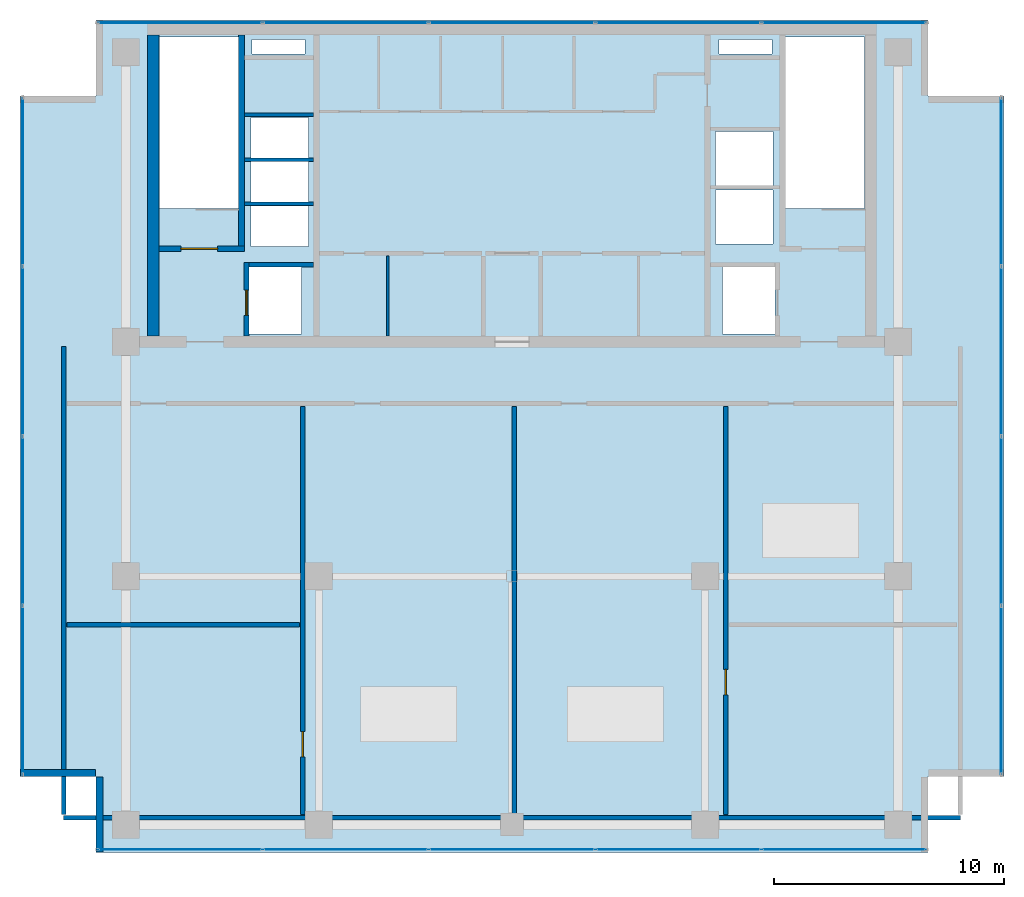
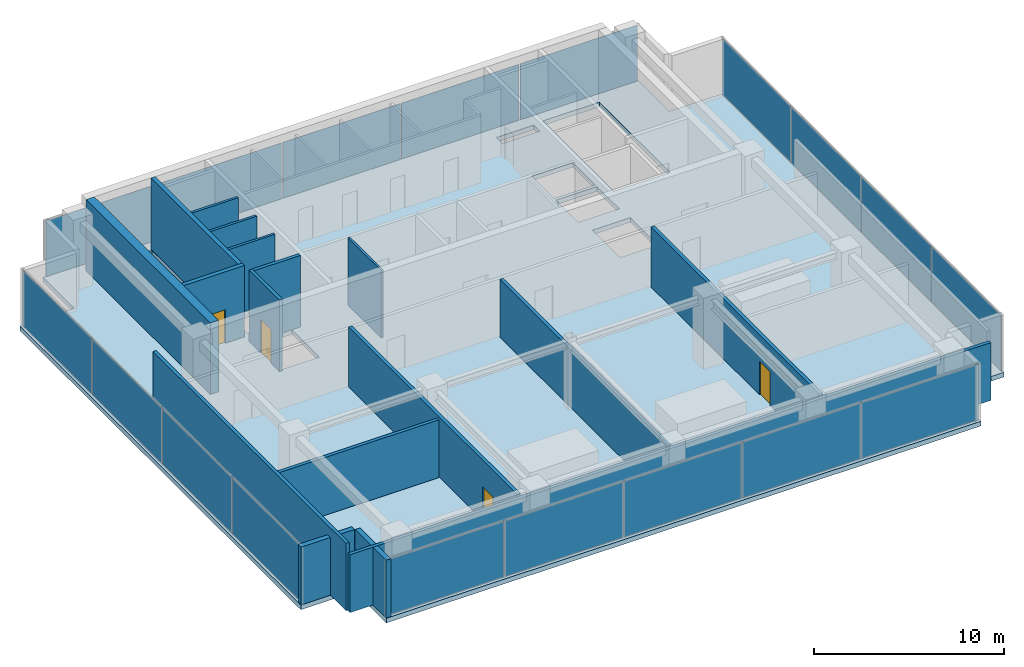
# One storey, part 15 of 19: 18 plates, 17 walls, 4 doors, 1 slab, 4 openings, 4 elements without a shape of their own.
"""IFC4 building model written with IfcOpenShell, lengths in metres."""

from ifc_helpers import new_model, si_unit, direction, frame, frame_2d, origin, origin_2d, place, context, subcontext, project, spatial, polyline, rectangle, outline, extrude, source, transform, mapped, material, layer, layer_set, type_object, element, fill, aggregate, save


model = new_model("IFC4")

# Units and contexts
model_context = context("Model", 3, precision=1e-05, world=origin(), true_north=direction((0.0, 1.0)))
body_context = subcontext(model_context, "Body", "Model", "MODEL_VIEW")
ifc_project = project(units=[si_unit("LENGTHUNIT", "METRE"), si_unit("AREAUNIT", "SQUARE_METRE"), si_unit("VOLUMEUNIT", "CUBIC_METRE"), si_unit("PLANEANGLEUNIT", "RADIAN"), si_unit("MASSUNIT", "GRAM", prefix="KILO")], contexts=[model_context])

# Site, building, storey
site_placement = place(None, origin())
site = spatial("IfcSite", under=ifc_project, at=site_placement, CompositionType="ELEMENT")
building_placement = place(site_placement, origin())
building = spatial("IfcBuilding", under=site, at=building_placement, Name="Sumidabori Civic Tower", CompositionType="ELEMENT")
storey_placement = place(building_placement, frame((0.0, 0.0, 293.60009765625)))
storey = spatial("IfcBuildingStorey", under=building, at=storey_placement, Name="L77", CompositionType="ELEMENT", Elevation=293.60009765625)

# Slab
ifc_material_1 = material(Name="Concrete C40/50", Category="concrete")
ifc_layer_1 = layer(ifc_material_1, 0.300048828125, Name="Concrete C40/50")
ifc_layer_set_1 = layer_set([ifc_layer_1], Name="Concrete C40/50")
slab_type = type_object("IfcSlabType", Name="SL-CRN-300", PredefinedType="FLOOR", material=ifc_layer_set_1)
slab_placement = place(storey_placement, frame((0.0, 0.0, -0.300048828125)))
element("IfcSlab", 1, at=slab_placement, inside=storey, type_object=slab_type, Name="Structural Slab L77", PredefinedType="FLOOR", context=body_context, shape_type="SweptSolid", body=[
    extrude(outline(polyline([(-18.10009765625, -12.0), (18.10009765625, -12.0), (18.10009765625, -8.699951171875), (21.39990234375, -8.699951171875), (21.39990234375, 20.89990234375), (18.10009765625, 20.89990234375), (18.10009765625, 24.199951171875), (-18.10009765625, 24.199951171875), (-18.10009765625, 20.89990234375), (-21.39990234375, 20.89990234375), (-21.39990234375, -8.699951171875), (-18.10009765625, -8.699951171875), (-18.10009765625, -12.0)]), holes=[polyline([(-11.89990234375, 16.0), (-11.89990234375, 23.449951171875), (-15.340087890625, 23.449951171875), (-15.340087890625, 16.0), (-11.89990234375, 16.0)]), polyline([(15.340087890625, 16.0), (15.340087890625, 23.449951171875), (11.89990234375, 23.449951171875), (11.89990234375, 16.0), (15.340087890625, 16.0)]), polyline([(-11.449951171875, 10.550048828125), (-9.14990234375, 10.550048828125), (-9.14990234375, 13.449951171875), (-11.449951171875, 13.449951171875), (-11.449951171875, 10.550048828125)]), polyline([(9.14990234375, 10.550048828125), (11.449951171875, 10.550048828125), (11.449951171875, 13.449951171875), (9.14990234375, 13.449951171875), (9.14990234375, 10.550048828125)]), polyline([(-11.35009765625, 14.35009765625), (-8.85009765625, 14.35009765625), (-8.85009765625, 16.1201171875), (-11.35009765625, 16.1201171875), (-11.35009765625, 14.35009765625)]), polyline([(-11.35009765625, 16.27001953125), (-8.85009765625, 16.27001953125), (-8.85009765625, 18.0400390625), (-11.35009765625, 18.0400390625), (-11.35009765625, 16.27001953125)]), polyline([(-11.35009765625, 18.18994140625), (-8.85009765625, 18.18994140625), (-8.85009765625, 19.9599609375), (-11.35009765625, 19.9599609375), (-11.35009765625, 18.18994140625)]), polyline([(8.85009765625, 14.449951171875), (11.35009765625, 14.449951171875), (11.35009765625, 16.800048828125), (8.85009765625, 16.800048828125), (8.85009765625, 14.449951171875)]), polyline([(8.85009765625, 17.0), (11.35009765625, 17.0), (11.35009765625, 19.35009765625), (8.85009765625, 19.35009765625), (8.85009765625, 17.0)]), polyline([(-11.300048828125, 22.719970703125), (-9.0, 22.719970703125), (-9.0, 23.35009765625), (-11.300048828125, 23.35009765625), (-11.300048828125, 22.719970703125)]), polyline([(9.0, 22.719970703125), (11.300048828125, 22.719970703125), (11.300048828125, 23.35009765625), (9.0, 23.35009765625), (9.0, 22.719970703125)])]), origin(), (0.0, 0.0, 1.0), 0.300048828125),
])

# Curtain wall, plates
ifc_material_2 = material(Name="Anodised Bronze Aluminium AW-6063-T6", Category="aluminium")
ifc_layer_2 = layer(ifc_material_2, 0.179931640625, Name="Anodised Bronze Aluminium AW-6063-T6")
ifc_layer_set_2 = layer_set([ifc_layer_2], Name="Anodised Bronze Aluminium AW-6063-T6")
curtain_wall_type = type_object("IfcCurtainWallType", Name="CW-SYS-6", PredefinedType="NOTDEFINED", material=ifc_layer_set_2)
curtain_wall_1_placement = place(storey_placement, origin())
curtain_wall_1 = element("IfcCurtainWall", 2, at=curtain_wall_1_placement, inside=storey, type_object=curtain_wall_type, Name="Curtain Wall CW:L77:R01", PredefinedType="NOTDEFINED")
ifc_material_3 = material(Name="Bronze-Tinted Laminated Crown Glazing", Category="glass")
ifc_layer_3 = layer(ifc_material_3, 0.033935546875, Name="Bronze-Tinted Laminated Crown Glazing")
ifc_layer_set_3 = layer_set([ifc_layer_3], Name="Bronze-Tinted Laminated Crown Glazing")
plate_type = type_object("IfcPlateType", Name="CW-PNL-CRN", PredefinedType="CURTAIN_PANEL", material=ifc_layer_set_3)
shared_shape_1 = source(origin(), body_context, "Body", "SweptSolid", [
    extrude(rectangle(XDim=7.123046875, YDim=0.033935546875, at=origin_2d()), origin(), (0.0, 0.0, 1.0), 3.590087890625),
])
plate_1_placement = place(storey_placement, frame((-14.4384765625, -11.8798828125, 0.06494140625), z_axis=(0.0, 0.0, 1.0), x_axis=(1.0, 0.0, 0.0)))
plate_1 = element("IfcPlate", 3, at=plate_1_placement, type_object=plate_type, Name="CW-6 panel 1.1", PredefinedType="CURTAIN_PANEL", context=body_context, shape_type="MappedRepresentation", body=[
    mapped(shared_shape_1, transform((0.0, 0.0, 0.0), x_axis=(1.0, 0.0, 0.0), y_axis=(0.0, 1.0, 0.0), z_axis=(0.0, 0.0, 1.0), scale=1.0)),
])
plate_2_placement = place(storey_placement, frame((14.4384765625, -11.8798828125, 0.06494140625), z_axis=(0.0, 0.0, 1.0), x_axis=(1.0, 0.0, 0.0)))
plate_2 = element("IfcPlate", 4, at=plate_2_placement, type_object=plate_type, Name="CW-6 panel 5.1", PredefinedType="CURTAIN_PANEL", context=body_context, shape_type="MappedRepresentation", body=[
    mapped(shared_shape_1, transform((0.0, 0.0, 0.0), x_axis=(1.0, 0.0, 0.0), y_axis=(0.0, 1.0, 0.0), z_axis=(0.0, 0.0, 1.0), scale=1.0)),
])

curtain_wall_2_placement = place(storey_placement, origin())
curtain_wall_2 = element("IfcCurtainWall", 5, at=curtain_wall_2_placement, inside=storey, type_object=curtain_wall_type, Name="Curtain Wall CW:L77:R07", PredefinedType="NOTDEFINED")
plate_3_placement = place(storey_placement, frame((14.4384765625, 24.080078125, 0.06494140625), z_axis=(0.0, 0.0, 1.0), x_axis=(-1.0, 0.0, 0.0)))
plate_3 = element("IfcPlate", 6, at=plate_3_placement, type_object=plate_type, Name="CW-6 panel 1.1", PredefinedType="CURTAIN_PANEL", context=body_context, shape_type="MappedRepresentation", body=[
    mapped(shared_shape_1, transform((0.0, 0.0, 0.0), x_axis=(1.0, 0.0, 0.0), y_axis=(0.0, 1.0, 0.0), z_axis=(0.0, 0.0, 1.0), scale=1.0)),
])
plate_4_placement = place(storey_placement, frame((-14.4384765625, 24.080078125, 0.06494140625), z_axis=(0.0, 0.0, 1.0), x_axis=(-1.0, 0.0, 0.0)))
plate_4 = element("IfcPlate", 7, at=plate_4_placement, type_object=plate_type, Name="CW-6 panel 5.1", PredefinedType="CURTAIN_PANEL", context=body_context, shape_type="MappedRepresentation", body=[
    mapped(shared_shape_1, transform((0.0, 0.0, 0.0), x_axis=(1.0, 0.0, 0.0), y_axis=(0.0, 1.0, 0.0), z_axis=(0.0, 0.0, 1.0), scale=1.0)),
])

# Plate
shared_shape_2 = source(origin(), body_context, "Body", "SweptSolid", [
    extrude(rectangle(XDim=7.157958984375, YDim=0.033935546875, at=origin_2d()), origin(), (0.0, 0.0, 1.0), 3.590087890625),
])
plate_5_placement = place(storey_placement, frame((-7.22802734375, -11.8798828125, 0.06494140625), z_axis=(0.0, 0.0, 1.0), x_axis=(1.0, 0.0, 0.0)))
plate_5 = element("IfcPlate", 8, at=plate_5_placement, type_object=plate_type, Name="CW-6 panel 2.1", PredefinedType="CURTAIN_PANEL", context=body_context, shape_type="MappedRepresentation", body=[
    mapped(shared_shape_2, transform((0.0, 0.0, 0.0), x_axis=(1.0, 0.0, 0.0), y_axis=(0.0, 1.0, 0.0), z_axis=(0.0, 0.0, 1.0), scale=1.0)),
])

plate_6_placement = place(storey_placement, frame((0.0, -11.8798828125, 0.06494140625), z_axis=(0.0, 0.0, 1.0), x_axis=(1.0, 0.0, 0.0)))
plate_6 = element("IfcPlate", 9, at=plate_6_placement, type_object=plate_type, Name="CW-6 panel 3.1", PredefinedType="CURTAIN_PANEL", context=body_context, shape_type="MappedRepresentation", body=[
    mapped(shared_shape_2, transform((0.0, 0.0, 0.0), x_axis=(1.0, 0.0, 0.0), y_axis=(0.0, 1.0, 0.0), z_axis=(0.0, 0.0, 1.0), scale=1.0)),
])

plate_7_placement = place(storey_placement, frame((7.22802734375, -11.8798828125, 0.06494140625), z_axis=(0.0, 0.0, 1.0), x_axis=(1.0, 0.0, 0.0)))
plate_7 = element("IfcPlate", 10, at=plate_7_placement, type_object=plate_type, Name="CW-6 panel 4.1", PredefinedType="CURTAIN_PANEL", context=body_context, shape_type="MappedRepresentation", body=[
    mapped(shared_shape_2, transform((0.0, 0.0, 0.0), x_axis=(1.0, 0.0, 0.0), y_axis=(0.0, 1.0, 0.0), z_axis=(0.0, 0.0, 1.0), scale=1.0)),
])

aggregate(curtain_wall_1, [plate_1, plate_5, plate_6, plate_7, plate_2])

plate_8_placement = place(storey_placement, frame((7.22802734375, 24.080078125, 0.06494140625), z_axis=(0.0, 0.0, 1.0), x_axis=(-1.0, 0.0, 0.0)))
plate_8 = element("IfcPlate", 11, at=plate_8_placement, type_object=plate_type, Name="CW-6 panel 2.1", PredefinedType="CURTAIN_PANEL", context=body_context, shape_type="MappedRepresentation", body=[
    mapped(shared_shape_2, transform((0.0, 0.0, 0.0), x_axis=(1.0, 0.0, 0.0), y_axis=(0.0, 1.0, 0.0), z_axis=(0.0, 0.0, 1.0), scale=1.0)),
])

plate_9_placement = place(storey_placement, frame((0.0, 24.080078125, 0.06494140625), z_axis=(0.0, 0.0, 1.0), x_axis=(-1.0, 0.0, 0.0)))
plate_9 = element("IfcPlate", 12, at=plate_9_placement, type_object=plate_type, Name="CW-6 panel 3.1", PredefinedType="CURTAIN_PANEL", context=body_context, shape_type="MappedRepresentation", body=[
    mapped(shared_shape_2, transform((0.0, 0.0, 0.0), x_axis=(1.0, 0.0, 0.0), y_axis=(0.0, 1.0, 0.0), z_axis=(0.0, 0.0, 1.0), scale=1.0)),
])

plate_10_placement = place(storey_placement, frame((-7.22802734375, 24.080078125, 0.06494140625), z_axis=(0.0, 0.0, 1.0), x_axis=(-1.0, 0.0, 0.0)))
plate_10 = element("IfcPlate", 13, at=plate_10_placement, type_object=plate_type, Name="CW-6 panel 4.1", PredefinedType="CURTAIN_PANEL", context=body_context, shape_type="MappedRepresentation", body=[
    mapped(shared_shape_2, transform((0.0, 0.0, 0.0), x_axis=(1.0, 0.0, 0.0), y_axis=(0.0, 1.0, 0.0), z_axis=(0.0, 0.0, 1.0), scale=1.0)),
])

aggregate(curtain_wall_2, [plate_3, plate_8, plate_9, plate_10, plate_4])

# Curtain wall, plates
curtain_wall_3_placement = place(storey_placement, origin())
curtain_wall_3 = element("IfcCurtainWall", 14, at=curtain_wall_3_placement, inside=storey, type_object=curtain_wall_type, Name="Curtain Wall CW:L77:R04", PredefinedType="NOTDEFINED")
shared_shape_3 = source(origin(), body_context, "Body", "SweptSolid", [
    extrude(rectangle(XDim=7.280029296875, YDim=0.033935546875, at=origin_2d()), origin(), (0.0, 0.0, 1.0), 3.590087890625),
])
plate_11_placement = place(storey_placement, frame((21.280029296875, -4.9599609375, 0.06494140625), z_axis=(0.0, 0.0, 1.0), x_axis=(0.0, 1.0, 0.0)))
plate_11 = element("IfcPlate", 15, at=plate_11_placement, type_object=plate_type, Name="CW-6 panel 1.1", PredefinedType="CURTAIN_PANEL", context=body_context, shape_type="MappedRepresentation", body=[
    mapped(shared_shape_3, transform((0.0, 0.0, 0.0), x_axis=(1.0, 0.0, 0.0), y_axis=(0.0, 1.0, 0.0), z_axis=(0.0, 0.0, 1.0), scale=1.0)),
])
plate_12_placement = place(storey_placement, frame((21.280029296875, 17.159912109375, 0.06494140625), z_axis=(0.0, 0.0, 1.0), x_axis=(0.0, 1.0, 0.0)))
plate_12 = element("IfcPlate", 16, at=plate_12_placement, type_object=plate_type, Name="CW-6 panel 4.1", PredefinedType="CURTAIN_PANEL", context=body_context, shape_type="MappedRepresentation", body=[
    mapped(shared_shape_3, transform((0.0, 0.0, 0.0), x_axis=(1.0, 0.0, 0.0), y_axis=(0.0, 1.0, 0.0), z_axis=(0.0, 0.0, 1.0), scale=1.0)),
])

curtain_wall_4_placement = place(storey_placement, origin())
curtain_wall_4 = element("IfcCurtainWall", 17, at=curtain_wall_4_placement, inside=storey, type_object=curtain_wall_type, Name="Curtain Wall CW:L77:R10", PredefinedType="NOTDEFINED")
plate_13_placement = place(storey_placement, frame((-21.280029296875, 17.159912109375, 0.06494140625), z_axis=(0.0, 0.0, 1.0), x_axis=(0.0, -1.0, 0.0)))
plate_13 = element("IfcPlate", 18, at=plate_13_placement, type_object=plate_type, Name="CW-6 panel 1.1", PredefinedType="CURTAIN_PANEL", context=body_context, shape_type="MappedRepresentation", body=[
    mapped(shared_shape_3, transform((0.0, 0.0, 0.0), x_axis=(1.0, 0.0, 0.0), y_axis=(0.0, 1.0, 0.0), z_axis=(0.0, 0.0, 1.0), scale=1.0)),
])
plate_14_placement = place(storey_placement, frame((-21.280029296875, -4.9599609375, 0.06494140625), z_axis=(0.0, 0.0, 1.0), x_axis=(0.0, -1.0, 0.0)))
plate_14 = element("IfcPlate", 19, at=plate_14_placement, type_object=plate_type, Name="CW-6 panel 4.1", PredefinedType="CURTAIN_PANEL", context=body_context, shape_type="MappedRepresentation", body=[
    mapped(shared_shape_3, transform((0.0, 0.0, 0.0), x_axis=(1.0, 0.0, 0.0), y_axis=(0.0, 1.0, 0.0), z_axis=(0.0, 0.0, 1.0), scale=1.0)),
])

# Plate
shared_shape_4 = source(origin(), body_context, "Body", "SweptSolid", [
    extrude(rectangle(XDim=7.31494140625, YDim=0.033935546875, at=origin_2d()), origin(), (0.0, 0.0, 1.0), 3.590087890625),
])
plate_15_placement = place(storey_placement, frame((21.280029296875, 2.407470703125, 0.06494140625), z_axis=(0.0, 0.0, 1.0), x_axis=(0.0, 1.0, 0.0)))
plate_15 = element("IfcPlate", 20, at=plate_15_placement, type_object=plate_type, Name="CW-6 panel 2.1", PredefinedType="CURTAIN_PANEL", context=body_context, shape_type="MappedRepresentation", body=[
    mapped(shared_shape_4, transform((0.0, 0.0, 0.0), x_axis=(1.0, 0.0, 0.0), y_axis=(0.0, 1.0, 0.0), z_axis=(0.0, 0.0, 1.0), scale=1.0)),
])

plate_16_placement = place(storey_placement, frame((21.280029296875, 9.79248046875, 0.06494140625), z_axis=(0.0, 0.0, 1.0), x_axis=(0.0, 1.0, 0.0)))
plate_16 = element("IfcPlate", 21, at=plate_16_placement, type_object=plate_type, Name="CW-6 panel 3.1", PredefinedType="CURTAIN_PANEL", context=body_context, shape_type="MappedRepresentation", body=[
    mapped(shared_shape_4, transform((0.0, 0.0, 0.0), x_axis=(1.0, 0.0, 0.0), y_axis=(0.0, 1.0, 0.0), z_axis=(0.0, 0.0, 1.0), scale=1.0)),
])

aggregate(curtain_wall_3, [plate_11, plate_15, plate_16, plate_12])

plate_17_placement = place(storey_placement, frame((-21.280029296875, 9.79248046875, 0.06494140625), z_axis=(0.0, 0.0, 1.0), x_axis=(0.0, -1.0, 0.0)))
plate_17 = element("IfcPlate", 22, at=plate_17_placement, type_object=plate_type, Name="CW-6 panel 2.1", PredefinedType="CURTAIN_PANEL", context=body_context, shape_type="MappedRepresentation", body=[
    mapped(shared_shape_4, transform((0.0, 0.0, 0.0), x_axis=(1.0, 0.0, 0.0), y_axis=(0.0, 1.0, 0.0), z_axis=(0.0, 0.0, 1.0), scale=1.0)),
])

plate_18_placement = place(storey_placement, frame((-21.280029296875, 2.407470703125, 0.06494140625), z_axis=(0.0, 0.0, 1.0), x_axis=(0.0, -1.0, 0.0)))
plate_18 = element("IfcPlate", 23, at=plate_18_placement, type_object=plate_type, Name="CW-6 panel 3.1", PredefinedType="CURTAIN_PANEL", context=body_context, shape_type="MappedRepresentation", body=[
    mapped(shared_shape_4, transform((0.0, 0.0, 0.0), x_axis=(1.0, 0.0, 0.0), y_axis=(0.0, 1.0, 0.0), z_axis=(0.0, 0.0, 1.0), scale=1.0)),
])

aggregate(curtain_wall_4, [plate_13, plate_17, plate_18, plate_14])

# Wall
ifc_material_4 = material(Name="Concrete C50/60", Category="concrete")
ifc_layer_4 = layer(ifc_material_4, 0.5, Name="Concrete C50/60")
ifc_layer_set_4 = layer_set([ifc_layer_4], Name="Concrete C50/60")
wall_type_1 = type_object("IfcWallType", Name="WL-CORE-500", PredefinedType="SHEAR", material=ifc_layer_set_4)
shared_shape_5 = source(origin(), body_context, "Body", "SweptSolid", [
    extrude(rectangle(XDim=13.10009765625, YDim=0.5, at=frame_2d((6.550048828125, 0.0))), origin(), (0.0, 0.0, 1.0), 4.599853515625),
])
wall_1_placement = place(storey_placement, frame((-15.60009765625, 10.449951171875, 0.0), z_axis=(0.0, 0.0, 1.0), x_axis=(0.0, 1.0, 0.0)))
element("IfcWall", 24, at=wall_1_placement, inside=storey, type_object=wall_type_1, Name="Core Shear Wall L77 W", PredefinedType="SHEAR", context=body_context, shape_type="MappedRepresentation", body=[
    mapped(shared_shape_5, transform((0.0, 0.0, 0.0), x_axis=(1.0, 0.0, 0.0), y_axis=(0.0, 1.0, 0.0), z_axis=(0.0, 0.0, 1.0), scale=1.0)),
])

# Wall, opening, door
ifc_layer_5 = layer(ifc_material_4, 0.25, Name="Concrete C50/60")
ifc_layer_set_5 = layer_set([ifc_layer_5], Name="Concrete C50/60")
wall_type_2 = type_object("IfcWallType", Name="WL-SHAFT-250", PredefinedType="SHEAR", material=ifc_layer_set_5)
shared_shape_6 = source(origin(), body_context, "Body", "SweptSolid", [
    extrude(rectangle(XDim=3.705078125, YDim=0.25, at=frame_2d((1.8525390625, 0.0))), origin(), (0.0, 0.0, 1.0), 4.599853515625),
])
wall_2_placement = place(storey_placement, frame((-15.35009765625, 14.25, 0.0), z_axis=(0.0, 0.0, 1.0), x_axis=(1.0, 0.0, 0.0)))
wall_2 = element("IfcWall", 25, at=wall_2_placement, inside=storey, type_object=wall_type_2, Name="Core Shear Wall L77 ST1-S", PredefinedType="SHEAR", context=body_context, shape_type="MappedRepresentation", body=[
    mapped(shared_shape_6, transform((0.0, 0.0, 0.0), x_axis=(1.0, 0.0, 0.0), y_axis=(0.0, 1.0, 0.0), z_axis=(0.0, 0.0, 1.0), scale=1.0)),
])
opening_1_placement = place(wall_2_placement, frame((0.949951171875, 0.0, 0.0)))
opening_1 = element("IfcOpeningElement", 26, at=opening_1_placement, cuts=wall_2, Name="Opening DR-FD4", PredefinedType="OPENING", context=body_context, shape_type="SweptSolid", body=[
    extrude(rectangle(XDim=1.60009765625, YDim=2.14990234375, at=frame_2d((0.800048828125, 1.074951171875))), frame((0.0, 0.136962890625, 0.0), z_axis=(0.0, -1.0, 0.0), x_axis=(1.0, 0.0, 0.0)), (0.0, 0.0, 1.0), 0.27392578125),
])
ifc_material_5 = material(Name="Steel SN490", Category="steel")
door_type_1 = type_object("IfcDoorType", Name="DR-FD4", OperationType="DOUBLE_DOOR_SINGLE_SWING", PredefinedType="DOOR", material=ifc_material_5)
shared_shape_7 = source(origin(), body_context, "Body", "SweptSolid", [
    extrude(rectangle(XDim=1.60009765625, YDim=2.14990234375, at=frame_2d((0.800048828125, 1.074951171875))), frame((0.0, 0.02490234375, 0.0), z_axis=(0.0, -1.0, 0.0), x_axis=(1.0, 0.0, 0.0)), (0.0, 0.0, 1.0), 0.050048828125),
])
door_1_placement = place(opening_1_placement, origin())
door_1 = element("IfcDoor", 27, at=door_1_placement, inside=storey, type_object=door_type_1, Name="Door DR:L77:ST1", OperationType="DOUBLE_DOOR_SINGLE_SWING", OverallHeight=2.14990234375, OverallWidth=1.60009765625, PredefinedType="DOOR", context=body_context, shape_type="MappedRepresentation", body=[
    mapped(shared_shape_7, transform((0.0, 0.0, 0.0), x_axis=(1.0, 0.0, 0.0), y_axis=(0.0, 1.0, 0.0), z_axis=(0.0, 0.0, 1.0), scale=1.0)),
])
fill(opening_1, door_1)

# Wall
shared_shape_8 = source(origin(), body_context, "Body", "SweptSolid", [
    extrude(rectangle(XDim=9.175048828125, YDim=0.25, at=frame_2d((4.58740234375, 0.0))), origin(), (0.0, 0.0, 1.0), 4.599853515625),
])
wall_3_placement = place(storey_placement, frame((-11.77001953125, 14.375, 0.0), z_axis=(0.0, 0.0, 1.0), x_axis=(0.0, 1.0, 0.0)))
element("IfcWall", 28, at=wall_3_placement, inside=storey, type_object=wall_type_2, Name="Core Shear Wall L77 ST1-E", PredefinedType="SHEAR", context=body_context, shape_type="MappedRepresentation", body=[
    mapped(shared_shape_8, transform((0.0, 0.0, 0.0), x_axis=(1.0, 0.0, 0.0), y_axis=(0.0, 1.0, 0.0), z_axis=(0.0, 0.0, 1.0), scale=1.0)),
])

# Wall, opening, door
ifc_layer_6 = layer(ifc_material_4, 0.199951171875, Name="Concrete C50/60")
ifc_layer_set_6 = layer_set([ifc_layer_6], Name="Concrete C50/60")
wall_type_3 = type_object("IfcWallType", Name="WL-SHAFT-200", PredefinedType="SHEAR", material=ifc_layer_set_6)
shared_shape_9 = source(origin(), body_context, "Body", "SweptSolid", [
    extrude(rectangle(XDim=3.199951171875, YDim=0.199951171875, at=frame_2d((1.60009765625, 0.0))), origin(), (0.0, 0.0, 1.0), 4.599853515625),
])
wall_4_placement = place(storey_placement, frame((-11.550048828125, 10.449951171875, 0.0), z_axis=(0.0, 0.0, 1.0), x_axis=(0.0, 1.0, 0.0)))
wall_4 = element("IfcWall", 29, at=wall_4_placement, inside=storey, type_object=wall_type_3, Name="Core Shear Wall L77 EL1-W", PredefinedType="SHEAR", context=body_context, shape_type="MappedRepresentation", body=[
    mapped(shared_shape_9, transform((0.0, 0.0, 0.0), x_axis=(1.0, 0.0, 0.0), y_axis=(0.0, 1.0, 0.0), z_axis=(0.0, 0.0, 1.0), scale=1.0)),
])
opening_2_placement = place(wall_4_placement, frame((0.89990234375, 0.0, 0.0)))
opening_2 = element("IfcOpeningElement", 30, at=opening_2_placement, cuts=wall_4, Name="Opening LD-2", PredefinedType="OPENING", context=body_context, shape_type="SweptSolid", body=[
    extrude(rectangle(XDim=1.10009765625, YDim=2.14990234375, at=frame_2d((0.550048828125, 1.074951171875))), frame((0.0, 0.11181640625, 0.0), z_axis=(0.0, -1.0, 0.0), x_axis=(1.0, 0.0, 0.0)), (0.0, 0.0, 1.0), 0.223876953125),
])
ifc_material_6 = material(Name="Stainless Steel Hairline Finish", Category="steel")
door_type_2 = type_object("IfcDoorType", Name="DR-LD2", OperationType="DOUBLE_DOOR_SLIDING", PredefinedType="DOOR", material=ifc_material_6)
shared_shape_10 = source(origin(), body_context, "Body", "SweptSolid", [
    extrude(rectangle(XDim=1.10009765625, YDim=2.14990234375, at=frame_2d((0.550048828125, 1.074951171875))), frame((0.0, 0.02490234375, 0.0), z_axis=(0.0, -1.0, 0.0), x_axis=(1.0, 0.0, 0.0)), (0.0, 0.0, 1.0), 0.050048828125),
])
door_2_placement = place(opening_2_placement, origin())
door_2 = element("IfcDoor", 31, at=door_2_placement, inside=storey, type_object=door_type_2, Name="Door DR:L77:LD-EL1", OperationType="DOUBLE_DOOR_SLIDING", OverallHeight=2.14990234375, OverallWidth=1.10009765625, PredefinedType="DOOR", context=body_context, shape_type="MappedRepresentation", body=[
    mapped(shared_shape_10, transform((0.0, 0.0, 0.0), x_axis=(1.0, 0.0, 0.0), y_axis=(0.0, 1.0, 0.0), z_axis=(0.0, 0.0, 1.0), scale=1.0)),
])
fill(opening_2, door_2)

# Walls
shared_shape_11 = source(origin(), body_context, "Body", "SweptSolid", [
    extrude(rectangle(XDim=2.824951171875, YDim=0.199951171875, at=frame_2d((1.41259765625, 0.0))), origin(), (0.0, 0.0, 1.0), 4.599853515625),
])
wall_5_placement = place(storey_placement, frame((-11.449951171875, 13.550048828125, 0.0), z_axis=(0.0, 0.0, 1.0), x_axis=(1.0, 0.0, 0.0)))
element("IfcWall", 32, at=wall_5_placement, inside=storey, type_object=wall_type_3, Name="Core Shear Wall L77 EL1-N", PredefinedType="SHEAR", context=body_context, shape_type="MappedRepresentation", body=[
    mapped(shared_shape_11, transform((0.0, 0.0, 0.0), x_axis=(1.0, 0.0, 0.0), y_axis=(0.0, 1.0, 0.0), z_axis=(0.0, 0.0, 1.0), scale=1.0)),
])
ifc_material_7 = material(Name="Precast concrete C40/50", Category="concrete")
ifc_layer_7 = layer(ifc_material_7, 0.300048828125, Name="Precast concrete C40/50")
ifc_layer_set_7 = layer_set([ifc_layer_7], Name="Precast concrete C40/50")
wall_type_4 = type_object("IfcWallType", Name="WL-EXT-POD300", PredefinedType="STANDARD", material=ifc_layer_set_7)
shared_shape_12 = source(origin(), body_context, "Body", "SweptSolid", [
    extrude(rectangle(XDim=3.260009765625, YDim=0.300048828125, at=frame_2d((1.6298828125, 0.0))), origin(), (0.0, 0.0, 1.0), 3.719970703125),
])
wall_6_placement = place(storey_placement, frame((-17.949951171875, -8.719970703125, 0.0), z_axis=(0.0, 0.0, 1.0), x_axis=(0.0, -1.0, 0.0)))
element("IfcWall", 33, at=wall_6_placement, inside=storey, type_object=wall_type_4, Name="Notched Corner Spandrel Band L77-12", PredefinedType="STANDARD", context=body_context, shape_type="MappedRepresentation", body=[
    mapped(shared_shape_12, transform((0.0, 0.0, 0.0), x_axis=(1.0, 0.0, 0.0), y_axis=(0.0, 1.0, 0.0), z_axis=(0.0, 0.0, 1.0), scale=1.0)),
])
shared_shape_13 = source(origin(), body_context, "Body", "SweptSolid", [
    extrude(rectangle(XDim=3.259765625, YDim=0.300048828125, at=frame_2d((1.6298828125, 0.0))), origin(), (0.0, 0.0, 1.0), 3.719970703125),
])
wall_7_placement = place(storey_placement, frame((-21.3798828125, -8.550048828125, 0.0), z_axis=(0.0, 0.0, 1.0), x_axis=(1.0, 0.0, 0.0)))
element("IfcWall", 34, at=wall_7_placement, inside=storey, type_object=wall_type_4, Name="Notched Corner Spandrel Band L77-11", PredefinedType="STANDARD", context=body_context, shape_type="MappedRepresentation", body=[
    mapped(shared_shape_13, transform((0.0, 0.0, 0.0), x_axis=(1.0, 0.0, 0.0), y_axis=(0.0, 1.0, 0.0), z_axis=(0.0, 0.0, 1.0), scale=1.0)),
])
ifc_material_8 = material(Name="Gypsum Plasterboard Acoustic Partition")
ifc_layer_8 = layer(ifc_material_8, 0.14990234375, Name="Gypsum Plasterboard Acoustic Partition")
ifc_layer_set_8 = layer_set([ifc_layer_8], Name="Gypsum Plasterboard Acoustic Partition")
wall_type_5 = type_object("IfcWallType", Name="WL-PART-150", PredefinedType="PARTITIONING", material=ifc_layer_set_8)
shared_shape_14 = source(origin(), body_context, "Body", "SweptSolid", [
    extrude(rectangle(XDim=3.010009765625, YDim=0.14990234375, at=frame_2d((1.5048828125, 0.0))), origin(), (0.0, 0.0, 1.0), 4.33984375),
])
for number, where, z_axis, x_axis, name in (
    (35, (-11.639892578125, 16.199951171875, 0.0), (0.0, 0.0, 1.0), (1.0, 0.0, 0.0), "Interior Partition WL:L77:DIV-PLH1"),
    (36, (-11.639892578125, 18.1201171875, 0.0), (0.0, 0.0, 1.0), (1.0, 0.0, 0.0), "Interior Partition WL:L77:DIV-PLH2"),
    (37, (-11.639892578125, 20.080078125, 0.0), (0.0, 0.0, 1.0), (1.0, 0.0, 0.0), "Interior Partition WL:L77:DIV-PLH3"),
):
    element("IfcWall", number, at=place(storey_placement, frame(where, z_axis=z_axis, x_axis=x_axis)), inside=storey, type_object=wall_type_5, Name=name, PredefinedType="PARTITIONING", context=body_context, shape_type="MappedRepresentation", body=[
        mapped(shared_shape_14, transform((0.0, 0.0, 0.0), x_axis=(1.0, 0.0, 0.0), y_axis=(0.0, 1.0, 0.0), z_axis=(0.0, 0.0, 1.0), scale=1.0)),
    ])
ifc_layer_9 = layer(ifc_material_8, 0.1201171875, Name="Gypsum Plasterboard Acoustic Partition")
ifc_layer_set_9 = layer_set([ifc_layer_9], Name="Gypsum Plasterboard Acoustic Partition")
wall_type_6 = type_object("IfcWallType", Name="WL-PART-120", PredefinedType="PARTITIONING", material=ifc_layer_set_9)
shared_shape_15 = source(origin(), body_context, "Body", "SweptSolid", [
    extrude(rectangle(XDim=3.489990234375, YDim=0.1201171875, at=frame_2d((1.7451171875, 0.0))), origin(), (0.0, 0.0, 1.0), 4.33984375),
])
wall_8_placement = place(storey_placement, frame((-5.39990234375, 10.449951171875, 0.0), z_axis=(0.0, 0.0, 1.0), x_axis=(0.0, 1.0, 0.0)))
element("IfcWall", 38, at=wall_8_placement, inside=storey, type_object=wall_type_6, Name="Interior Partition WL:L77:REC-B1-SP", PredefinedType="PARTITIONING", context=body_context, shape_type="MappedRepresentation", body=[
    mapped(shared_shape_15, transform((0.0, 0.0, 0.0), x_axis=(1.0, 0.0, 0.0), y_axis=(0.0, 1.0, 0.0), z_axis=(0.0, 0.0, 1.0), scale=1.0)),
])
ifc_material_9 = material(Name="Gypsum Plasterboard Fire Partition")
ifc_layer_10 = layer(ifc_material_9, 0.199951171875, Name="Gypsum Plasterboard Fire Partition")
ifc_layer_set_10 = layer_set([ifc_layer_10], Name="Gypsum Plasterboard Fire Partition")
wall_type_7 = type_object("IfcWallType", Name="WL-PART-FIRE", PredefinedType="PARTITIONING", material=ifc_layer_set_10)
shared_shape_16 = source(origin(), body_context, "Body", "SweptSolid", [
    extrude(rectangle(XDim=39.0, YDim=0.199951171875, at=frame_2d((19.5, 0.0))), origin(), (0.0, 0.0, 1.0), 3.724853515625),
])
wall_9_placement = place(storey_placement, frame((-19.5, -10.5, 0.0), z_axis=(0.0, 0.0, 1.0), x_axis=(1.0, 0.0, 0.0)))
element("IfcWall", 39, at=wall_9_placement, inside=storey, type_object=wall_type_7, Name="Interior Partition WL:L77:PL-S", PredefinedType="PARTITIONING", context=body_context, shape_type="MappedRepresentation", body=[
    mapped(shared_shape_16, transform((0.0, 0.0, 0.0), x_axis=(1.0, 0.0, 0.0), y_axis=(0.0, 1.0, 0.0), z_axis=(0.0, 0.0, 1.0), scale=1.0)),
])
shared_shape_17 = source(origin(), body_context, "Body", "SweptSolid", [
    extrude(rectangle(XDim=20.35009765625, YDim=0.199951171875, at=frame_2d((10.175048828125, 0.0))), origin(), (0.0, 0.0, 1.0), 4.33984375),
])
wall_10_placement = place(storey_placement, frame((-19.5, -10.35009765625, 0.0), z_axis=(0.0, 0.0, 1.0), x_axis=(0.0, 1.0, 0.0)))
element("IfcWall", 40, at=wall_10_placement, inside=storey, type_object=wall_type_7, Name="Interior Partition WL:L77:PL-W", PredefinedType="PARTITIONING", context=body_context, shape_type="MappedRepresentation", body=[
    mapped(shared_shape_17, transform((0.0, 0.0, 0.0), x_axis=(1.0, 0.0, 0.0), y_axis=(0.0, 1.0, 0.0), z_axis=(0.0, 0.0, 1.0), scale=1.0)),
])

# Wall, opening, door
shared_shape_18 = source(origin(), body_context, "Body", "SweptSolid", [
    extrude(rectangle(XDim=17.72998046875, YDim=0.199951171875, at=frame_2d((8.864990234375, 0.0))), origin(), (0.0, 0.0, 1.0), 3.875),
])
wall_11_placement = place(storey_placement, frame((-9.10009765625, -10.35009765625, 0.0), z_axis=(0.0, 0.0, 1.0), x_axis=(0.0, 1.0, 0.0)))
wall_11 = element("IfcWall", 41, at=wall_11_placement, inside=storey, type_object=wall_type_7, Name="Interior Partition WL:L77:PDIV-1", PredefinedType="PARTITIONING", context=body_context, shape_type="MappedRepresentation", body=[
    mapped(shared_shape_18, transform((0.0, 0.0, 0.0), x_axis=(1.0, 0.0, 0.0), y_axis=(0.0, 1.0, 0.0), z_axis=(0.0, 0.0, 1.0), scale=1.0)),
])
opening_3_placement = place(wall_11_placement, frame((2.5, 0.0, 0.0)))
opening_3 = element("IfcOpeningElement", 42, at=opening_3_placement, cuts=wall_11, Name="Opening DR-FD1", PredefinedType="OPENING", context=body_context, shape_type="SweptSolid", body=[
    extrude(rectangle(XDim=1.10009765625, YDim=2.14990234375, at=frame_2d((0.550048828125, 1.074951171875))), frame((0.0, 0.11181640625, 0.0), z_axis=(0.0, -1.0, 0.0), x_axis=(1.0, 0.0, 0.0)), (0.0, 0.0, 1.0), 0.223876953125),
])
door_type_3 = type_object("IfcDoorType", Name="DR-FD1", OperationType="NOTDEFINED", PredefinedType="DOOR", material=ifc_material_5)
shared_shape_19 = source(origin(), body_context, "Body", "SweptSolid", [
    extrude(rectangle(XDim=1.10009765625, YDim=2.14990234375, at=frame_2d((0.550048828125, 1.074951171875))), frame((0.0, 0.02490234375, 0.0), z_axis=(0.0, -1.0, 0.0), x_axis=(1.0, 0.0, 0.0)), (0.0, 0.0, 1.0), 0.050048828125),
])
door_3_placement = place(opening_3_placement, origin())
door_3 = element("IfcDoor", 43, at=door_3_placement, inside=storey, type_object=door_type_3, Name="Door DR:L77:BMU", OperationType="SINGLE_SWING_RIGHT", OverallHeight=2.14990234375, OverallWidth=1.10009765625, PredefinedType="DOOR", context=body_context, shape_type="MappedRepresentation", body=[
    mapped(shared_shape_19, transform((0.0, 0.0, 0.0), x_axis=(1.0, 0.0, 0.0), y_axis=(0.0, 1.0, 0.0), z_axis=(0.0, 0.0, 1.0), scale=1.0)),
])
fill(opening_3, door_3)

wall_12_placement = place(storey_placement, frame((9.300048828125, -10.35009765625, 0.0), z_axis=(0.0, 0.0, 1.0), x_axis=(0.0, 1.0, 0.0)))
wall_12 = element("IfcWall", 44, at=wall_12_placement, inside=storey, type_object=wall_type_7, Name="Interior Partition WL:L77:PDIV-3", PredefinedType="PARTITIONING", context=body_context, shape_type="MappedRepresentation", body=[
    mapped(shared_shape_18, transform((0.0, 0.0, 0.0), x_axis=(1.0, 0.0, 0.0), y_axis=(0.0, 1.0, 0.0), z_axis=(0.0, 0.0, 1.0), scale=1.0)),
])
opening_4_placement = place(wall_12_placement, frame((5.199951171875, 0.0, 0.0)))
opening_4 = element("IfcOpeningElement", 45, at=opening_4_placement, cuts=wall_12, Name="Opening DR-FD1", PredefinedType="OPENING", context=body_context, shape_type="SweptSolid", body=[
    extrude(rectangle(XDim=1.10009765625, YDim=2.14990234375, at=frame_2d((0.550048828125, 1.074951171875))), frame((0.0, 0.11181640625, 0.0), z_axis=(0.0, -1.0, 0.0), x_axis=(1.0, 0.0, 0.0)), (0.0, 0.0, 1.0), 0.223876953125),
])
door_4_placement = place(opening_4_placement, origin())
door_4 = element("IfcDoor", 46, at=door_4_placement, inside=storey, type_object=door_type_3, Name="Door DR:L77:PMP", OperationType="SINGLE_SWING_LEFT", OverallHeight=2.14990234375, OverallWidth=1.10009765625, PredefinedType="DOOR", context=body_context, shape_type="MappedRepresentation", body=[
    mapped(shared_shape_19, transform((0.0, 0.0, 0.0), x_axis=(1.0, 0.0, 0.0), y_axis=(0.0, 1.0, 0.0), z_axis=(0.0, 0.0, 1.0), scale=1.0)),
])
fill(opening_4, door_4)

# Walls
shared_shape_20 = source(origin(), body_context, "Body", "SweptSolid", [
    extrude(rectangle(XDim=17.72998046875, YDim=0.199951171875, at=frame_2d((8.864990234375, 0.0))), origin(), (0.0, 0.0, 1.0), 3.724853515625),
])
wall_13_placement = place(storey_placement, frame((0.10009765625, -10.35009765625, 0.0), z_axis=(0.0, 0.0, 1.0), x_axis=(0.0, 1.0, 0.0)))
element("IfcWall", 47, at=wall_13_placement, inside=storey, type_object=wall_type_7, Name="Interior Partition WL:L77:PDIV-2", PredefinedType="PARTITIONING", context=body_context, shape_type="MappedRepresentation", body=[
    mapped(shared_shape_20, transform((0.0, 0.0, 0.0), x_axis=(1.0, 0.0, 0.0), y_axis=(0.0, 1.0, 0.0), z_axis=(0.0, 0.0, 1.0), scale=1.0)),
])
shared_shape_21 = source(origin(), body_context, "Body", "SweptSolid", [
    extrude(rectangle(XDim=10.10009765625, YDim=0.199951171875, at=frame_2d((5.050048828125, 0.0))), origin(), (0.0, 0.0, 1.0), 3.724853515625),
])
wall_14_placement = place(storey_placement, frame((-19.35009765625, -2.10009765625, 0.0), z_axis=(0.0, 0.0, 1.0), x_axis=(1.0, 0.0, 0.0)))
element("IfcWall", 48, at=wall_14_placement, inside=storey, type_object=wall_type_7, Name="Interior Partition WL:L77:PDIV-5", PredefinedType="PARTITIONING", context=body_context, shape_type="MappedRepresentation", body=[
    mapped(shared_shape_21, transform((0.0, 0.0, 0.0), x_axis=(1.0, 0.0, 0.0), y_axis=(0.0, 1.0, 0.0), z_axis=(0.0, 0.0, 1.0), scale=1.0)),
])

save(model, "model.ifc")
